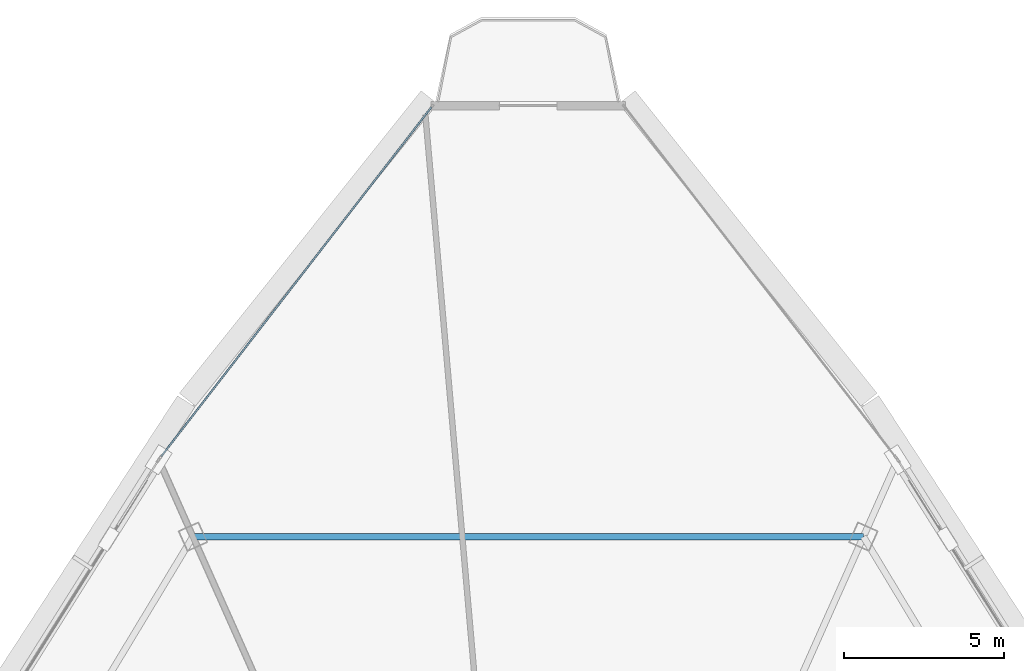
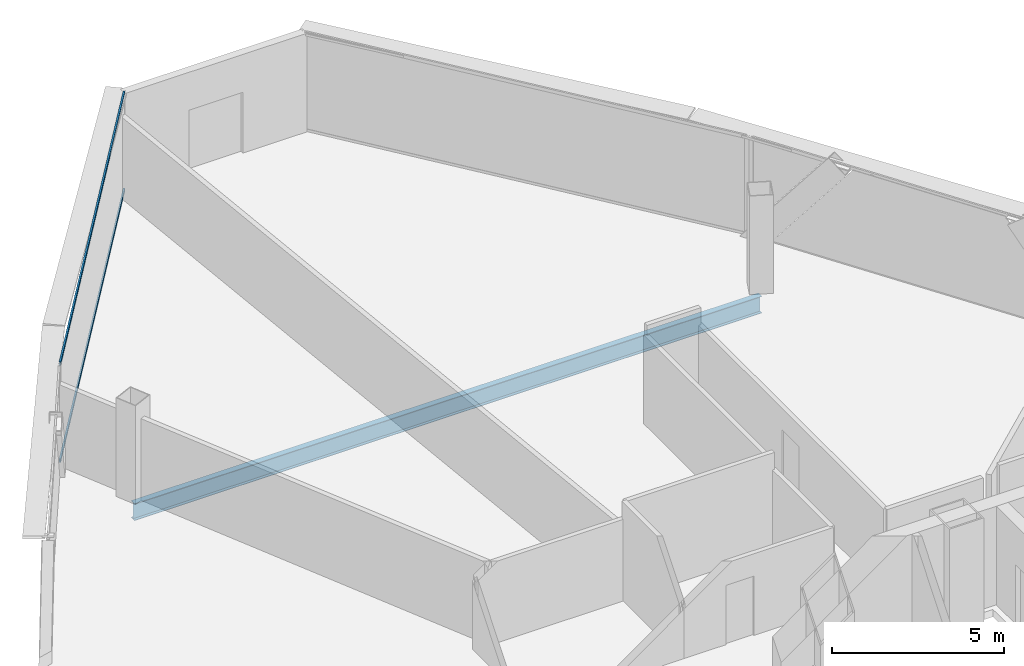
# One storey, part 18 of 30: 2 members, 1 beam, 1 element without a shape of its own.
"""IFC4 building model written with IfcOpenShell, lengths in metres."""

from ifc_helpers import new_model, si_unit, direction, frame, origin, origin_2d, place, context, subcontext, project, spatial, hollow_rectangle, i_section, extrude, source, transform, mapped, material, layer, layer_set, material_profile, profile_set, type_object, element, aggregate, save


model = new_model("IFC4")

# Units and contexts
model_context = context("Model", 3, precision=1e-05, world=origin(), true_north=direction((0.0, 1.0)))
body_context = subcontext(model_context, "Body", "Model", "MODEL_VIEW")
ifc_project = project(units=[si_unit("LENGTHUNIT", "METRE"), si_unit("AREAUNIT", "SQUARE_METRE"), si_unit("VOLUMEUNIT", "CUBIC_METRE"), si_unit("PLANEANGLEUNIT", "RADIAN"), si_unit("MASSUNIT", "GRAM", prefix="KILO"), si_unit("THERMODYNAMICTEMPERATUREUNIT", "KELVIN"), si_unit("POWERUNIT", "WATT")], contexts=[model_context])

# Site, building, storey
site_placement = place(None, origin())
site = spatial("IfcSite", under=ifc_project, at=site_placement, CompositionType="ELEMENT")
building_placement = place(site_placement, origin())
building = spatial("IfcBuilding", under=site, at=building_placement, Name="Yunzhuo Pagoda Commons", CompositionType="ELEMENT")
storey_placement = place(building_placement, frame((0.0, 0.0, 351.760009765625)))
storey = spatial("IfcBuildingStorey", under=building, at=storey_placement, Name="L88", CompositionType="ELEMENT", Elevation=351.760009765625)

# Beam
ifc_material_1 = material(Name="Structural steel Q355B", Category="steel")
ifc_material_profile_1 = material_profile(ifc_material_1, i_section(OverallWidth=0.199951171875, OverallDepth=0.60009765625, WebThickness=0.010986328125, FlangeThickness=0.01708984375, at=origin_2d()), Name="Structural steel Q355B")
ifc_profile_set_1 = profile_set([ifc_material_profile_1], Name="Structural steel Q355B")
beam_type = type_object("IfcBeamType", Name="B-RG3 Beam HN 600x200x11x17", PredefinedType="BEAM", material=ifc_profile_set_1)
shared_shape_1 = source(origin(), body_context, "Body", "SweptSolid", [
    extrude(i_section(OverallWidth=0.199951171875, OverallDepth=0.60009765625, WebThickness=0.010986328125, FlangeThickness=0.01708984375, at=origin_2d()), origin(), (0.0, 0.0, 1.0), 20.99755859375),
])
beam_placement = place(storey_placement, frame((58.498779296875, 57.281005859375, -0.56005859375), z_axis=(-1.0, 0.0, 0.0), x_axis=(0.0, -1.0, 0.0)))
element("IfcBeam", 1, at=beam_placement, inside=storey, type_object=beam_type, Name="L88 column-ring beam 8", PredefinedType="BEAM", context=body_context, shape_type="MappedRepresentation", body=[
    mapped(shared_shape_1, transform((0.0, 0.0, 0.0), scale=1.0)),
])

# Curtain wall, members
ifc_material_2 = material(Name="Anodized aluminium 6063-T6", Category="aluminium")
ifc_layer = layer(ifc_material_2, 0.139892578125)
ifc_layer_set = layer_set([ifc_layer], Name="Anodized aluminium 6063-T6")
curtain_wall_type = type_object("IfcCurtainWallType", Name="CW-HI High-Zone Ribbon Curtain Wall", PredefinedType="NOTDEFINED", material=ifc_layer_set)
curtain_wall_placement = place(storey_placement, origin())
curtain_wall = element("IfcCurtainWall", 2, at=curtain_wall_placement, inside=storey, type_object=curtain_wall_type, Name="L88 curtain wall CW-L88-F3B1", PredefinedType="NOTDEFINED")
ifc_material_profile_2 = material_profile(ifc_material_2, hollow_rectangle(XDim=0.054931640625, YDim=0.1201171875, WallThickness=0.00341796875, at=origin_2d()), Name="Anodized aluminium 6063-T6")
ifc_profile_set_2 = profile_set([ifc_material_profile_2], Name="Anodized aluminium 6063-T6")
member_type = type_object("IfcMemberType", Name="CW-HI-T Transom RHS 120x55x3.5", PredefinedType="USERDEFINED", material=ifc_profile_set_2)
shared_shape_2 = source(origin(), body_context, "Body", "SweptSolid", [
    extrude(hollow_rectangle(XDim=0.054931640625, YDim=0.1201171875, WallThickness=0.00341796875, at=origin_2d()), origin(), (0.0, 0.0, 1.0), 13.8232421875),
])
member_1_placement = place(storey_placement, frame((44.968994140625, 70.7314453125, 0.027587890625), z_axis=(-0.61190884163, -0.790928296077, 0.0), x_axis=(0.790928296077, -0.61190884163, 0.0)))
member_1 = element("IfcMember", 3, at=member_1_placement, type_object=member_type, Name="CW transom 1.1", ObjectType="TRANSOM", PredefinedType="USERDEFINED", context=body_context, shape_type="MappedRepresentation", body=[
    mapped(shared_shape_2, transform((0.0, 0.0, 0.0), scale=1.0)),
])
member_2_placement = place(storey_placement, frame((44.968994140625, 70.7314453125, 3.46240234375), z_axis=(-0.61190884163, -0.790928296077, 0.0), x_axis=(0.790928296077, -0.61190884163, 0.0)))
member_2 = element("IfcMember", 4, at=member_2_placement, type_object=member_type, Name="CW transom 1.2", ObjectType="TRANSOM", PredefinedType="USERDEFINED", context=body_context, shape_type="MappedRepresentation", body=[
    mapped(shared_shape_2, transform((0.0, 0.0, 0.0), scale=1.0)),
])
aggregate(curtain_wall, [member_1, member_2])

save(model, "model.ifc")
